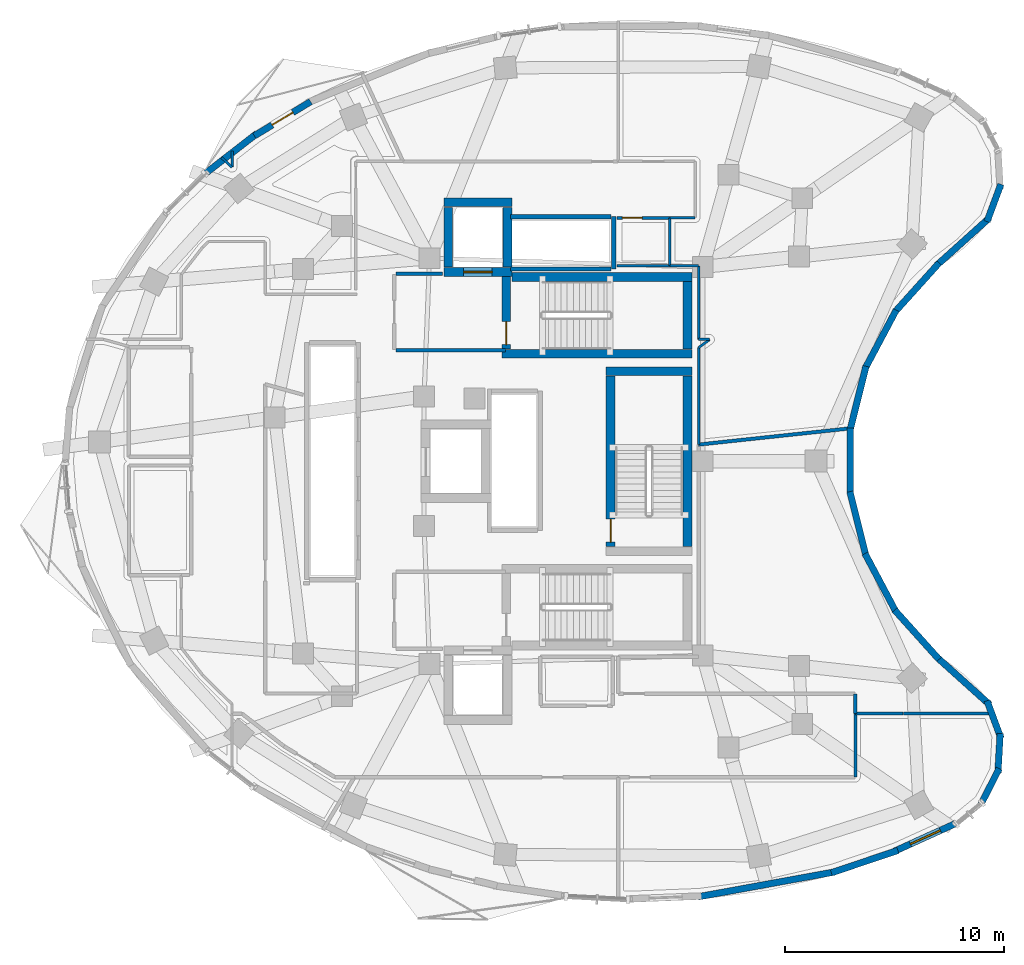
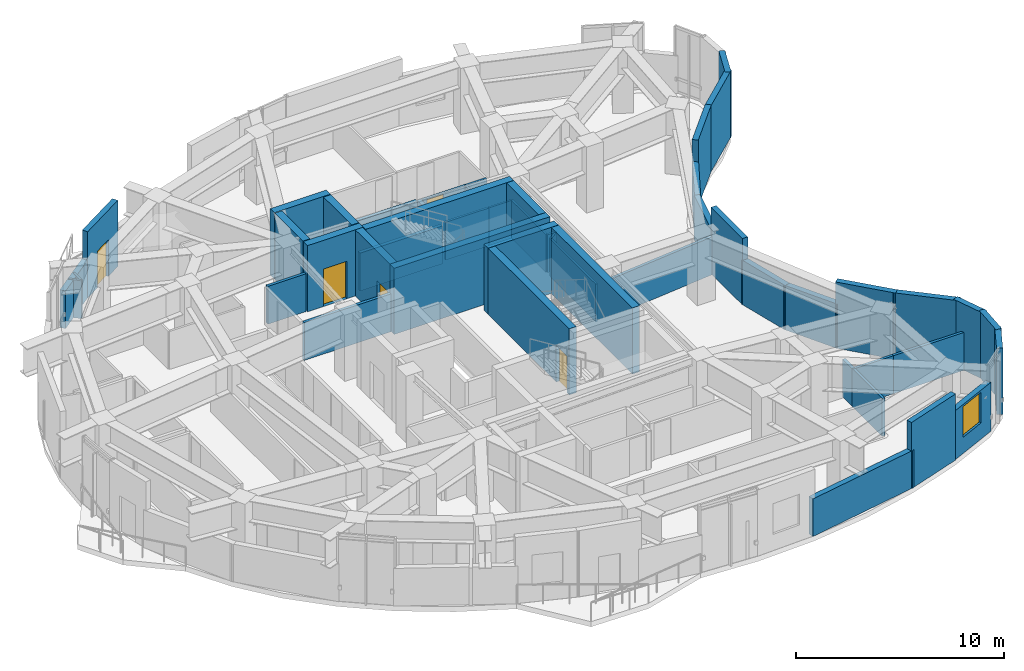
# One storey, part 9 of 13: 50 walls, 5 doors, 1 window, 6 openings.
"""IFC4 building model written with IfcOpenShell, lengths in metres."""

from ifc_helpers import new_model, si_unit, direction, frame, frame_2d, origin, place, context, subcontext, project, spatial, rectangle, extrude, material, layer, layer_set, type_object, element, fill, save


model = new_model("IFC4")

# Units and contexts
model_context = context("Model", 3, precision=1e-05, world=origin(), true_north=direction((0.0, 1.0)))
body_context = subcontext(model_context, "Body", "Model", "MODEL_VIEW")
ifc_project = project(units=[si_unit("LENGTHUNIT", "METRE"), si_unit("AREAUNIT", "SQUARE_METRE"), si_unit("VOLUMEUNIT", "CUBIC_METRE"), si_unit("PLANEANGLEUNIT", "RADIAN"), si_unit("MASSUNIT", "GRAM", prefix="KILO")], contexts=[model_context])

# Site, building, storey
site_placement = place(None, origin())
site = spatial("IfcSite", under=ifc_project, at=site_placement, CompositionType="ELEMENT")
building_placement = place(site_placement, origin())
building = spatial("IfcBuilding", under=site, at=building_placement, Name="Korentha Bioscience Tower", CompositionType="ELEMENT")
storey_placement = place(building_placement, frame((0.0, 0.0, 208.800048828125)))
storey = spatial("IfcBuildingStorey", under=building, at=storey_placement, Name="L48", CompositionType="ELEMENT", Elevation=208.800048828125)

# Walls
ifc_material_1 = material(Name="Double-Stud Acoustic Gypsum", Category="gypsum")
ifc_layer_1 = layer(ifc_material_1, 0.14990234375, Name="Double-Stud Acoustic Gypsum")
ifc_layer_set_1 = layer_set([ifc_layer_1], Name="Double-Stud Acoustic Gypsum (IW-L150)")
wall_type_1 = type_object("IfcWallType", Name="Acoustic Laboratory Partition Wall 150", PredefinedType="PARTITIONING", material=ifc_layer_set_1)
wall_1_placement = place(storey_placement, frame((46.69140625, 15.498046875, 0.0), z_axis=(0.0, 0.0, 1.0), x_axis=(1.0, 0.0, 0.0)))
element("IfcWall", 1, at=wall_1_placement, inside=storey, type_object=wall_type_1, Name="L48 Interior Partition 045", PredefinedType="PARTITIONING", context=body_context, shape_type="SweptSolid", body=[
    extrude(rectangle(XDim=4.142822265625, YDim=0.14990234375, at=frame_2d((2.0712890625, 0.0))), origin(), (0.0, 0.0, 1.0), 2.219970703125),
])
wall_2_placement = place(storey_placement, frame((44.510009765625, 12.60009765625, 0.0), z_axis=(0.0, 0.0, 1.0), x_axis=(0.0, 1.0, 0.0)))
element("IfcWall", 2, at=wall_2_placement, inside=storey, type_object=wall_type_1, Name="L48 Interior Partition 046", PredefinedType="PARTITIONING", context=body_context, shape_type="SweptSolid", body=[
    extrude(rectangle(XDim=2.89794921875, YDim=0.14990234375, at=frame_2d((1.448974609375, 0.0))), origin(), (0.0, 0.0, 1.0), 2.219970703125),
])
wall_3_placement = place(storey_placement, frame((44.510009765625, 15.498046875, 0.0), z_axis=(0.0, 0.0, 1.0), x_axis=(1.0, 0.0, 0.0)))
element("IfcWall", 3, at=wall_3_placement, inside=storey, type_object=wall_type_1, Name="L48 Interior Partition 047", PredefinedType="PARTITIONING", context=body_context, shape_type="SweptSolid", body=[
    extrude(rectangle(XDim=2.174072265625, YDim=0.14990234375, at=frame_2d((1.0869140625, 0.0))), origin(), (0.0, 0.0, 1.0), 2.219970703125),
])
ifc_material_2 = material(Name="Fire-Rated Framed Glass", Category="glass")
ifc_layer_2 = layer(ifc_material_2, 0.110107421875, Name="Fire-Rated Framed Glass")
ifc_layer_set_2 = layer_set([ifc_layer_2], Name="Fire-Rated Framed Glass (IW-G110)")
wall_type_2 = type_object("IfcWallType", Name="Demountable Glazed Office Partition 110", PredefinedType="MOVABLE", material=ifc_layer_set_2)
wall_4_placement = place(storey_placement, frame((37.360107421875, 27.7666015625, 0.0), z_axis=(0.0, 0.0, 1.0), x_axis=(0.0, 1.0, 0.0)))
element("IfcWall", 4, at=wall_4_placement, inside=storey, type_object=wall_type_2, Name="L48 Interior Partition 053", PredefinedType="MOVABLE", context=body_context, shape_type="SweptSolid", body=[
    extrude(rectangle(XDim=4.407470703125, YDim=0.110107421875, at=frame_2d((2.20361328125, 0.0))), origin(), (0.0, 0.0, 1.0), 2.219970703125),
])
wall_5_placement = place(storey_placement, frame((37.360107421875, 32.174072265625, 0.0), z_axis=(0.0, 0.0, 1.0), x_axis=(0.80784587298, 0.589393794936, 0.0)))
element("IfcWall", 5, at=wall_5_placement, inside=storey, type_object=wall_type_2, Name="L48 Interior Partition 054", PredefinedType="MOVABLE", context=body_context, shape_type="SweptSolid", body=[
    extrude(rectangle(XDim=0.629150390625, YDim=0.110107421875, at=frame_2d((0.314453125, 0.0))), origin(), (0.0, 0.0, 1.0), 2.219970703125),
])
wall_6_placement = place(storey_placement, frame((37.8662109375, 32.552001953125, 0.0), z_axis=(0.0, 0.0, 1.0), x_axis=(-1.0, 0.0, 0.0)))
element("IfcWall", 6, at=wall_6_placement, inside=storey, type_object=wall_type_2, Name="L48 Interior Partition 055", PredefinedType="MOVABLE", context=body_context, shape_type="SweptSolid", body=[
    extrude(rectangle(XDim=0.506103515625, YDim=0.110107421875, at=frame_2d((0.2529296875, 0.0))), origin(), (0.0, 0.0, 1.0), 2.219970703125),
])
wall_7_placement = place(storey_placement, frame((37.360107421875, 32.552001953125, 0.0), z_axis=(0.0, 0.0, 1.0), x_axis=(0.0, 1.0, 0.0)))
element("IfcWall", 7, at=wall_7_placement, inside=storey, type_object=wall_type_2, Name="L48 Interior Partition 056", PredefinedType="MOVABLE", context=body_context, shape_type="SweptSolid", body=[
    extrude(rectangle(XDim=3.347900390625, YDim=0.110107421875, at=frame_2d((1.673828125, 0.0))), origin(), (0.0, 0.0, 1.0), 2.219970703125),
])
wall_8_placement = place(storey_placement, frame((37.35009765625, 35.909912109375, 0.0), z_axis=(0.0, 0.0, 1.0), x_axis=(-1.0, 0.0, 0.0)))
element("IfcWall", 8, at=wall_8_placement, inside=storey, type_object=wall_type_2, Name="L48 Interior Partition 057", PredefinedType="MOVABLE", context=body_context, shape_type="SweptSolid", body=[
    extrude(rectangle(XDim=1.2900390625, YDim=0.110107421875, at=frame_2d((0.64501953125, 0.0))), origin(), (0.0, 0.0, 1.0), 2.219970703125),
])
wall_9_placement = place(storey_placement, frame((36.06005859375, 38.090087890625, 0.0), z_axis=(0.0, 0.0, 1.0), x_axis=(1.0, 0.0, 0.0)))
element("IfcWall", 9, at=wall_9_placement, inside=storey, type_object=wall_type_2, Name="L48 Interior Partition 058", PredefinedType="MOVABLE", context=body_context, shape_type="SweptSolid", body=[
    extrude(rectangle(XDim=1.139892578125, YDim=0.110107421875, at=frame_2d((0.56982421875, 0.0))), origin(), (0.0, 0.0, 1.0), 2.219970703125),
])
wall_10_placement = place(storey_placement, frame((15.626708984375, 40.83642578125, 0.0), z_axis=(0.0, 0.0, 1.0), x_axis=(0.726519497239, -0.687145850698, 0.0)))
element("IfcWall", 10, at=wall_10_placement, inside=storey, type_object=wall_type_2, Name="L48 Interior Partition 062", PredefinedType="MOVABLE", context=body_context, shape_type="SweptSolid", body=[
    extrude(rectangle(XDim=0.644775390625, YDim=0.110107421875, at=frame_2d((0.322265625, 0.0))), origin(), (0.0, 0.0, 1.0), 2.219970703125),
])
wall_11_placement = place(storey_placement, frame((16.10205078125, 40.396240234375, 0.0), z_axis=(0.0, 0.0, 1.0), x_axis=(0.0, 1.0, 0.0)))
element("IfcWall", 11, at=wall_11_placement, inside=storey, type_object=wall_type_2, Name="L48 Interior Partition 063", PredefinedType="MOVABLE", context=body_context, shape_type="SweptSolid", body=[
    extrude(rectangle(XDim=0.740966796875, YDim=0.110107421875, at=frame_2d((0.37060546875, 0.0))), origin(), (0.0, 0.0, 1.0), 2.219970703125),
])
ifc_material_3 = material(Name="Gypsum-Clad Steel Stud", Category="steel")
ifc_layer_3 = layer(ifc_material_3, 0.159912109375, Name="Gypsum-Clad Steel Stud")
ifc_layer_set_3 = layer_set([ifc_layer_3], Name="Gypsum-Clad Steel Stud (IW-C160)")
wall_type_3 = type_object("IfcWallType", Name="Fire-Rated Corridor Partition Wall 160", PredefinedType="PARTITIONING", material=ifc_layer_set_3)
wall_12_placement = place(storey_placement, frame((23.580078125, 32.050048828125, 0.0), z_axis=(0.0, 0.0, 1.0), x_axis=(1.0, 0.0, 0.0)))
element("IfcWall", 12, at=wall_12_placement, inside=storey, type_object=wall_type_3, Name="L48 Firefighting Lobby Return Wall FFLN-S", PredefinedType="PARTITIONING", context=body_context, shape_type="SweptSolid", body=[
    extrude(rectangle(XDim=4.969970703125, YDim=0.159912109375, at=frame_2d((2.48486328125, 0.0))), origin(), (0.0, 0.0, 1.0), 2.219970703125),
])
wall_13_placement = place(storey_placement, frame((23.580078125, 35.550048828125, 0.0), z_axis=(0.0, 0.0, 1.0), x_axis=(1.0, 0.0, 0.0)))
element("IfcWall", 13, at=wall_13_placement, inside=storey, type_object=wall_type_3, Name="L48 Firefighting Lobby Return Wall FFLN-N", PredefinedType="PARTITIONING", context=body_context, shape_type="SweptSolid", body=[
    extrude(rectangle(XDim=2.119873046875, YDim=0.159912109375, at=frame_2d((1.06005859375, 0.0))), origin(), (0.0, 0.0, 1.0), 2.219970703125),
])
wall_14_placement = place(storey_placement, frame((37.360107421875, 27.756591796875, 0.0), z_axis=(0.0, 0.0, 1.0), x_axis=(0.994337053642, 0.10627240354, 0.0)))
element("IfcWall", 14, at=wall_14_placement, inside=storey, type_object=wall_type_3, Name="L48 Interior Partition 050", PredefinedType="PARTITIONING", context=body_context, shape_type="SweptSolid", body=[
    extrude(rectangle(XDim=7.07568359375, YDim=0.159912109375, at=frame_2d((3.537841796875, 0.0))), origin(), (0.0, 0.0, 1.0), 2.219970703125),
])
wall_15_placement = place(storey_placement, frame((44.510009765625, 15.508056640625, 0.0), z_axis=(0.0, 0.0, 1.0), x_axis=(0.0, 1.0, 0.0)))
element("IfcWall", 15, at=wall_15_placement, inside=storey, type_object=wall_type_3, Name="L48 Interior Partition 051", PredefinedType="PARTITIONING", context=body_context, shape_type="SweptSolid", body=[
    extrude(rectangle(XDim=0.891845703125, YDim=0.159912109375, at=frame_2d((0.44580078125, 0.0))), origin(), (0.0, 0.0, 1.0), 2.219970703125),
])

# Wall, opening, door
ifc_material_4 = material(Name="Honed Limestone Precast Concrete C40", Category="masonry")
ifc_layer_4 = layer(ifc_material_4, 0.300048828125, Name="Honed Limestone Precast Concrete C40")
ifc_layer_set_4 = layer_set([ifc_layer_4], Name="Honed Limestone Precast Concrete C40 (EW-ST300)")
wall_type_4 = type_object("IfcWallType", Name="Honed Limestone Cavity Spandrel Wall 300", PredefinedType="STANDARD", material=ifc_layer_set_4)
wall_16_placement = place(storey_placement, frame((19.681396484375, 43.3876953125, 0.0), z_axis=(0.0, 0.0, 1.0), x_axis=(-0.854364873812, -0.519673611411, 0.0)))
wall_16 = element("IfcWall", 16, at=wall_16_placement, inside=storey, type_object=wall_type_4, Name="L48 Balcony Threshold Wall 01", PredefinedType="STANDARD", context=body_context, shape_type="SweptSolid", body=[
    extrude(rectangle(XDim=3.00390625, YDim=0.300048828125, at=frame_2d((1.501953125, 0.0))), origin(), (0.0, 0.0, 1.0), 3.8798828125),
])
opening_1_placement = place(wall_16_placement, frame((0.951904296875, 0.0, 0.0)))
opening_1 = element("IfcOpeningElement", 17, at=opening_1_placement, cuts=wall_16, Name="Opening BD-11L", PredefinedType="OPENING", context=body_context, shape_type="SweptSolid", body=[
    extrude(rectangle(XDim=1.10009765625, YDim=2.14990234375, at=frame_2d((0.550048828125, 1.074951171875))), frame((0.0, 0.1650390625, 0.0), z_axis=(0.0, -1.0, 0.0), x_axis=(1.0, 0.0, 0.0)), (0.0, 0.0, 1.0), 0.329833984375),
])
ifc_material_5 = material(Name="Thermally Broken Glazed Aluminium", Category="aluminium")
door_type_1 = type_object("IfcDoorType", Name="Balcony Terrace Glazed Door 1100x2150 Left", OperationType="SINGLE_SWING_LEFT", PredefinedType="DOOR", material=ifc_material_5)
door_1_placement = place(opening_1_placement, origin())
door_1 = element("IfcDoor", 18, at=door_1_placement, inside=storey, type_object=door_type_1, Name="L48 Balcony Access Door 01", OperationType="SINGLE_SWING_LEFT", OverallHeight=2.14990234375, OverallWidth=1.10009765625, PredefinedType="DOOR", context=body_context, shape_type="SweptSolid", body=[
    extrude(rectangle(XDim=1.10009765625, YDim=2.14990234375, at=frame_2d((0.550048828125, 1.074951171875))), frame((0.0, 0.02490234375, 0.0), z_axis=(0.0, -1.0, 0.0), x_axis=(1.0, 0.0, 0.0)), (0.0, 0.0, 1.0), 0.050048828125),
])
fill(opening_1, door_1)

# Wall, opening, window
wall_17_placement = place(storey_placement, frame((46.289794921875, 9.222900390625, 0.0), z_axis=(0.0, 0.0, 1.0), x_axis=(0.910501683298, 0.413505362372, 0.0)))
wall_17 = element("IfcWall", 19, at=wall_17_placement, inside=storey, type_object=wall_type_4, Name="L48 Honed Limestone Spandrel Wall 36", PredefinedType="STANDARD", context=body_context, shape_type="SweptSolid", body=[
    extrude(rectangle(XDim=3.0908203125, YDim=0.300048828125, at=frame_2d((1.54541015625, 0.0))), origin(), (0.0, 0.0, 1.0), 2.869873046875),
])
opening_2_placement = place(wall_17_placement, frame((0.79541015625, 0.0, 0.949951171875)))
opening_2 = element("IfcOpeningElement", 20, at=opening_2_placement, cuts=wall_17, Name="Opening WN-02", PredefinedType="OPENING", context=body_context, shape_type="SweptSolid", body=[
    extrude(rectangle(XDim=1.5, YDim=1.800048828125, at=frame_2d((0.75, 0.89990234375))), frame((0.0, 0.1650390625, 0.0), z_axis=(0.0, -1.0, 0.0), x_axis=(1.0, 0.0, 0.0)), (0.0, 0.0, 1.0), 0.329833984375),
])
ifc_material_6 = material(Name="Thermally Broken Aluminium Triple Glazing", Category="aluminium")
window_type = type_object("IfcWindowType", Name="Acoustic Operable Office Window 1500x1800", PartitioningType="DOUBLE_PANEL_VERTICAL", PredefinedType="WINDOW", material=ifc_material_6)
window_placement = place(opening_2_placement, origin())
window = element("IfcWindow", 21, at=window_placement, inside=storey, type_object=window_type, Name="L48 Facade Window 36", OverallHeight=1.800048828125, OverallWidth=1.5, PartitioningType="DOUBLE_PANEL_VERTICAL", PredefinedType="WINDOW", context=body_context, shape_type="SweptSolid", body=[
    extrude(rectangle(XDim=1.5, YDim=1.800048828125, at=frame_2d((0.75, 0.89990234375))), frame((0.0, 0.030029296875, 0.0), z_axis=(0.0, -1.0, 0.0), x_axis=(1.0, 0.0, 0.0)), (0.0, 0.0, 1.0), 0.06005859375),
])
fill(opening_2, window)

# Walls
wall_18_placement = place(storey_placement, frame((17.232177734375, 41.93310546875, 0.0), z_axis=(0.0, 0.0, 1.0), x_axis=(-0.790315182738, -0.612700507536, 0.0)))
element("IfcWall", 22, at=wall_18_placement, inside=storey, type_object=wall_type_4, Name="L48 Limestone Perimeter Closure Wall 12", PredefinedType="STANDARD", context=body_context, shape_type="SweptSolid", body=[
    extrude(rectangle(XDim=2.95947265625, YDim=0.300048828125, at=frame_2d((1.479736328125, 0.0))), origin(), (0.0, 0.0, 1.0), 2.204833984375),
])
wall_19_placement = place(storey_placement, frame((37.32861328125, 7.143310546875, 0.0), z_axis=(0.0, 0.0, 1.0), x_axis=(0.983789375997, 0.179327810658, 0.0)))
element("IfcWall", 23, at=wall_19_placement, inside=storey, type_object=wall_type_4, Name="L48 Limestone Perimeter Closure Wall 33", PredefinedType="STANDARD", context=body_context, shape_type="SweptSolid", body=[
    extrude(rectangle(XDim=6.36181640625, YDim=0.300048828125, at=frame_2d((3.180908203125, 0.0))), origin(), (0.0, 0.0, 1.0), 2.204833984375),
])
wall_20_placement = place(storey_placement, frame((43.413330078125, 8.2392578125, 0.0), z_axis=(0.0, 0.0, 1.0), x_axis=(0.947600715786, 0.319457169965, 0.0)))
element("IfcWall", 24, at=wall_20_placement, inside=storey, type_object=wall_type_4, Name="L48 Limestone Perimeter Closure Wall 35", PredefinedType="STANDARD", context=body_context, shape_type="SweptSolid", body=[
    extrude(rectangle(XDim=3.196044921875, YDim=0.300048828125, at=frame_2d((1.59814453125, 0.0))), origin(), (0.0, 0.0, 1.0), 3.8798828125),
])
wall_21_placement = place(storey_placement, frame((50.235595703125, 11.37060546875, 0.0), z_axis=(0.0, 0.0, 1.0), x_axis=(0.454139309712, 0.890930686066, 0.0)))
element("IfcWall", 25, at=wall_21_placement, inside=storey, type_object=wall_type_4, Name="L48 Limestone Perimeter Closure Wall 38", PredefinedType="STANDARD", context=body_context, shape_type="SweptSolid", body=[
    extrude(rectangle(XDim=1.8154296875, YDim=0.300048828125, at=frame_2d((0.90771484375, 0.0))), origin(), (0.0, 0.0, 1.0), 3.8798828125),
])
wall_22_placement = place(storey_placement, frame((51.00390625, 12.781494140625, 0.0), z_axis=(0.0, 0.0, 1.0), x_axis=(0.057436686529, 0.998349150869, 0.0)))
element("IfcWall", 26, at=wall_22_placement, inside=storey, type_object=wall_type_4, Name="L48 Limestone Perimeter Closure Wall 39", PredefinedType="STANDARD", context=body_context, shape_type="SweptSolid", body=[
    extrude(rectangle(XDim=1.81494140625, YDim=0.300048828125, at=frame_2d((0.907470703125, 0.0))), origin(), (0.0, 0.0, 1.0), 3.8798828125),
])
wall_23_placement = place(storey_placement, frame((51.139892578125, 14.3818359375, 0.0), z_axis=(0.0, 0.0, 1.0), x_axis=(-0.348882068324, 0.937166635344, 0.0)))
element("IfcWall", 27, at=wall_23_placement, inside=storey, type_object=wall_type_4, Name="L48 Limestone Perimeter Closure Wall 40", PredefinedType="STANDARD", context=body_context, shape_type="SweptSolid", body=[
    extrude(rectangle(XDim=1.815185546875, YDim=0.300048828125, at=frame_2d((0.90771484375, 0.0))), origin(), (0.0, 0.0, 1.0), 3.8798828125),
])
wall_24_placement = place(storey_placement, frame((50.63134765625, 15.8994140625, 0.0), z_axis=(0.0, 0.0, 1.0), x_axis=(-0.743417638904, 0.668827492083, 0.0)))
element("IfcWall", 28, at=wall_24_placement, inside=storey, type_object=wall_type_4, Name="L48 Limestone Perimeter Closure Wall 41", PredefinedType="STANDARD", context=body_context, shape_type="SweptSolid", body=[
    extrude(rectangle(XDim=3.24365234375, YDim=0.300048828125, at=frame_2d((1.621826171875, 0.0))), origin(), (0.0, 0.0, 1.0), 3.8798828125),
])
wall_25_placement = place(storey_placement, frame((48.322509765625, 17.96630859375, 0.0), z_axis=(0.0, 0.0, 1.0), x_axis=(-0.669129534294, 0.743145790768, 0.0)))
element("IfcWall", 29, at=wall_25_placement, inside=storey, type_object=wall_type_4, Name="L48 Limestone Perimeter Closure Wall 43", PredefinedType="STANDARD", context=body_context, shape_type="SweptSolid", body=[
    extrude(rectangle(XDim=3.028076171875, YDim=0.300048828125, at=frame_2d((1.51416015625, 0.0))), origin(), (0.0, 0.0, 1.0), 3.8798828125),
])
wall_26_placement = place(storey_placement, frame((46.367919921875, 20.114501953125, 0.0), z_axis=(0.0, 0.0, 1.0), x_axis=(-0.469487277589, 0.88293923697, 0.0)))
element("IfcWall", 30, at=wall_26_placement, inside=storey, type_object=wall_type_4, Name="L48 Limestone Perimeter Closure Wall 45", PredefinedType="STANDARD", context=body_context, shape_type="SweptSolid", body=[
    extrude(rectangle(XDim=3.028076171875, YDim=0.300048828125, at=frame_2d((1.51416015625, 0.0))), origin(), (0.0, 0.0, 1.0), 2.60498046875),
])
wall_27_placement = place(storey_placement, frame((44.990966796875, 22.671630859375, 0.0), z_axis=(0.0, 0.0, 1.0), x_axis=(-0.241947511962, 0.97028933904, 0.0)))
element("IfcWall", 31, at=wall_27_placement, inside=storey, type_object=wall_type_4, Name="L48 Limestone Perimeter Closure Wall 47", PredefinedType="STANDARD", context=body_context, shape_type="SweptSolid", body=[
    extrude(rectangle(XDim=3.0283203125, YDim=0.300048828125, at=frame_2d((1.51416015625, 0.0))), origin(), (0.0, 0.0, 1.0), 2.60498046875),
])
wall_28_placement = place(storey_placement, frame((44.273681640625, 25.486083984375, 0.0), z_axis=(0.0, 0.0, 1.0), x_axis=(0.0, 1.0, 0.0)))
element("IfcWall", 32, at=wall_28_placement, inside=storey, type_object=wall_type_4, Name="L48 Limestone Perimeter Closure Wall 49", PredefinedType="STANDARD", context=body_context, shape_type="SweptSolid", body=[
    extrude(rectangle(XDim=3.02783203125, YDim=0.300048828125, at=frame_2d((1.513916015625, 0.0))), origin(), (0.0, 0.0, 1.0), 3.8798828125),
])
wall_29_placement = place(storey_placement, frame((44.25830078125, 28.39013671875, 0.0), z_axis=(0.0, 0.0, 1.0), x_axis=(0.241947511962, 0.97028933904, 0.0)))
element("IfcWall", 33, at=wall_29_placement, inside=storey, type_object=wall_type_4, Name="L48 Limestone Perimeter Closure Wall 51", PredefinedType="STANDARD", context=body_context, shape_type="SweptSolid", body=[
    extrude(rectangle(XDim=3.0283203125, YDim=0.300048828125, at=frame_2d((1.51416015625, 0.0))), origin(), (0.0, 0.0, 1.0), 2.60498046875),
])
wall_30_placement = place(storey_placement, frame((44.9462890625, 31.2119140625, 0.0), z_axis=(0.0, 0.0, 1.0), x_axis=(0.469487277589, 0.88293923697, 0.0)))
element("IfcWall", 34, at=wall_30_placement, inside=storey, type_object=wall_type_4, Name="L48 Limestone Perimeter Closure Wall 53", PredefinedType="STANDARD", context=body_context, shape_type="SweptSolid", body=[
    extrude(rectangle(XDim=3.028076171875, YDim=0.300048828125, at=frame_2d((1.51416015625, 0.0))), origin(), (0.0, 0.0, 1.0), 2.60498046875),
])
wall_31_placement = place(storey_placement, frame((46.29638671875, 33.783447265625, 0.0), z_axis=(0.0, 0.0, 1.0), x_axis=(0.669129534294, 0.743145790768, 0.0)))
element("IfcWall", 35, at=wall_31_placement, inside=storey, type_object=wall_type_4, Name="L48 Limestone Perimeter Closure Wall 55", PredefinedType="STANDARD", context=body_context, shape_type="SweptSolid", body=[
    extrude(rectangle(XDim=3.028076171875, YDim=0.300048828125, at=frame_2d((1.51416015625, 0.0))), origin(), (0.0, 0.0, 1.0), 3.8798828125),
])
wall_32_placement = place(storey_placement, frame((48.219970703125, 35.93115234375, 0.0), z_axis=(0.0, 0.0, 1.0), x_axis=(0.743417638904, 0.668827492083, 0.0)))
element("IfcWall", 36, at=wall_32_placement, inside=storey, type_object=wall_type_4, Name="L48 Limestone Perimeter Closure Wall 57", PredefinedType="STANDARD", context=body_context, shape_type="SweptSolid", body=[
    extrude(rectangle(XDim=3.24365234375, YDim=0.300048828125, at=frame_2d((1.621826171875, 0.0))), origin(), (0.0, 0.0, 1.0), 3.8798828125),
])
wall_33_placement = place(storey_placement, frame((50.506591796875, 37.9169921875, 0.0), z_axis=(0.0, 0.0, 1.0), x_axis=(0.348882068324, 0.937166635344, 0.0)))
element("IfcWall", 37, at=wall_33_placement, inside=storey, type_object=wall_type_4, Name="L48 Limestone Perimeter Closure Wall 59", PredefinedType="STANDARD", context=body_context, shape_type="SweptSolid", body=[
    extrude(rectangle(XDim=1.815185546875, YDim=0.300048828125, at=frame_2d((0.90771484375, 0.0))), origin(), (0.0, 0.0, 1.0), 3.8798828125),
])
ifc_material_7 = material(Name="Autoclaved Aerated Concrete Block C25", Category="concrete")
ifc_layer_5 = layer(ifc_material_7, 0.199951171875, Name="Autoclaved Aerated Concrete Block C25")
ifc_layer_set_5 = layer_set([ifc_layer_5], Name="Autoclaved Aerated Concrete Block C25 (IW-S200)")
wall_type_5 = type_object("IfcWallType", Name="Lift and Riser Shaft Enclosure Wall 200", PredefinedType="PARTITIONING", material=ifc_layer_set_5)
wall_34_placement = place(storey_placement, frame((33.489990234375, 35.760009765625, 0.0), z_axis=(0.0, 0.0, 1.0), x_axis=(0.0, 1.0, 0.0)))
element("IfcWall", 38, at=wall_34_placement, inside=storey, type_object=wall_type_5, Name="L48 Lift Bank OBS Shaft Wall +X", PredefinedType="PARTITIONING", context=body_context, shape_type="SweptSolid", body=[
    extrude(rectangle(XDim=2.3798828125, YDim=0.199951171875, at=frame_2d((1.18994140625, 0.0))), origin(), (0.0, 0.0, 1.0), 2.219970703125),
])
for number, where, z_axis, x_axis, name in (
    (39, (28.800048828125, 35.760009765625, 0.0), (0.0, 0.0, 1.0), (1.0, 0.0, 0.0), "L48 Lift Bank OBS Shaft Wall -Y"),
    (40, (28.800048828125, 38.139892578125, 0.0), (0.0, 0.0, 1.0), (1.0, 0.0, 0.0), "L48 Lift Bank OBS Shaft Wall +Y"),
):
    element("IfcWall", number, at=place(storey_placement, frame(where, z_axis=z_axis, x_axis=x_axis)), inside=storey, type_object=wall_type_5, Name=name, PredefinedType="PARTITIONING", context=body_context, shape_type="SweptSolid", body=[
        extrude(rectangle(XDim=4.570068359375, YDim=0.199951171875, at=frame_2d((2.28515625, 0.0))), origin(), (0.0, 0.0, 1.0), 2.219970703125),
    ])
ifc_material_8 = material(Name="Concrete C65", Category="concrete")
ifc_layer_6 = layer(ifc_material_8, 0.39990234375, Name="Concrete C65")
ifc_layer_set_6 = layer_set([ifc_layer_6], Name="Concrete C65 (CW-C65)")
wall_type_6 = type_object("IfcWallType", Name="Mid-Rise Core Shear Wall 400", PredefinedType="SHEAR", material=ifc_layer_set_6)
wall_35_placement = place(storey_placement, frame((28.85205078125, 35.39990234375, 0.0), z_axis=(0.0, 0.0, 1.0), x_axis=(1.0, 0.0, 0.0)))
element("IfcWall", 41, at=wall_35_placement, inside=storey, type_object=wall_type_6, Name="L48 Core Shear Wall ST1-N", PredefinedType="SHEAR", context=body_context, shape_type="SweptSolid", body=[
    extrude(rectangle(XDim=8.197998046875, YDim=0.39990234375, at=frame_2d((4.09912109375, 0.0))), origin(), (0.0, 0.0, 1.0), 3.8798828125),
])
wall_36_placement = place(storey_placement, frame((28.39990234375, 31.89990234375, 0.0), z_axis=(0.0, 0.0, 1.0), x_axis=(1.0, 0.0, 0.0)))
element("IfcWall", 42, at=wall_36_placement, inside=storey, type_object=wall_type_6, Name="L48 Core Shear Wall ST1-S", PredefinedType="SHEAR", context=body_context, shape_type="SweptSolid", body=[
    extrude(rectangle(XDim=8.650146484375, YDim=0.39990234375, at=frame_2d((4.3251953125, 0.0))), origin(), (0.0, 0.0, 1.0), 3.8798828125),
])
wall_37_placement = place(storey_placement, frame((36.85009765625, 32.110107421875, 0.0), z_axis=(0.0, 0.0, 1.0), x_axis=(0.0, 1.0, 0.0)))
element("IfcWall", 43, at=wall_37_placement, inside=storey, type_object=wall_type_6, Name="L48 Core Shear Wall ST1-E", PredefinedType="SHEAR", context=body_context, shape_type="SweptSolid", body=[
    extrude(rectangle(XDim=3.079833984375, YDim=0.39990234375, at=frame_2d((1.5400390625, 0.0))), origin(), (0.0, 0.0, 1.0), 3.8798828125),
])

# Wall, opening, door
wall_38_placement = place(storey_placement, frame((28.60009765625, 32.110107421875, 0.0), z_axis=(0.0, 0.0, 1.0), x_axis=(0.0, 1.0, 0.0)))
wall_38 = element("IfcWall", 44, at=wall_38_placement, inside=storey, type_object=wall_type_6, Name="L48 Core Shear Wall ST1-W", PredefinedType="SHEAR", context=body_context, shape_type="SweptSolid", body=[
    extrude(rectangle(XDim=3.307861328125, YDim=0.39990234375, at=frame_2d((1.65380859375, 0.0))), origin(), (0.0, 0.0, 1.0), 3.8798828125),
])
opening_3_placement = place(wall_38_placement, frame((0.199951171875, 0.0, 0.0)))
opening_3 = element("IfcOpeningElement", 45, at=opening_3_placement, cuts=wall_38, Name="Opening FD-90L", PredefinedType="OPENING", context=body_context, shape_type="SweptSolid", body=[
    extrude(rectangle(XDim=1.050048828125, YDim=2.14990234375, at=frame_2d((0.52490234375, 1.074951171875))), frame((0.0, 0.21484375, 0.0), z_axis=(0.0, -1.0, 0.0), x_axis=(1.0, 0.0, 0.0)), (0.0, 0.0, 1.0), 0.4296875),
])
ifc_material_9 = material(Name="Powder-Coated Fire-Rated Steel", Category="steel")
door_type_2 = type_object("IfcDoorType", Name="Stairwell Fire Exit Door 1050x2150 Left", OperationType="SINGLE_SWING_LEFT", PredefinedType="DOOR", material=ifc_material_9)
door_2_placement = place(opening_3_placement, origin())
door_2 = element("IfcDoor", 46, at=door_2_placement, inside=storey, type_object=door_type_2, Name="L48 ST-1 Fire Exit Stair Door", OperationType="SINGLE_SWING_LEFT", OverallHeight=2.14990234375, OverallWidth=1.050048828125, PredefinedType="DOOR", context=body_context, shape_type="SweptSolid", body=[
    extrude(rectangle(XDim=1.050048828125, YDim=2.14990234375, at=frame_2d((0.52490234375, 1.074951171875))), frame((0.0, 0.02490234375, 0.0), z_axis=(0.0, -1.0, 0.0), x_axis=(1.0, 0.0, 0.0)), (0.0, 0.0, 1.0), 0.050048828125),
])
fill(opening_3, door_2)

# Walls
wall_39_placement = place(storey_placement, frame((33.14990234375, 31.10009765625, 0.0), z_axis=(0.0, 0.0, 1.0), x_axis=(1.0, 0.0, 0.0)))
element("IfcWall", 47, at=wall_39_placement, inside=storey, type_object=wall_type_6, Name="L48 Core Shear Wall ST3-N", PredefinedType="SHEAR", context=body_context, shape_type="SweptSolid", body=[
    extrude(rectangle(XDim=3.900146484375, YDim=0.39990234375, at=frame_2d((1.9501953125, 0.0))), origin(), (0.0, 0.0, 1.0), 3.8798828125),
])
wall_40_placement = place(storey_placement, frame((36.85009765625, 23.110107421875, 0.0), z_axis=(0.0, 0.0, 1.0), x_axis=(0.0, 1.0, 0.0)))
element("IfcWall", 48, at=wall_40_placement, inside=storey, type_object=wall_type_6, Name="L48 Core Shear Wall ST3-E", PredefinedType="SHEAR", context=body_context, shape_type="SweptSolid", body=[
    extrude(rectangle(XDim=7.77978515625, YDim=0.39990234375, at=frame_2d((3.889892578125, 0.0))), origin(), (0.0, 0.0, 1.0), 3.8798828125),
])

# Wall, opening, door
wall_41_placement = place(storey_placement, frame((33.35009765625, 23.110107421875, 0.0), z_axis=(0.0, 0.0, 1.0), x_axis=(0.0, 1.0, 0.0)))
wall_41 = element("IfcWall", 49, at=wall_41_placement, inside=storey, type_object=wall_type_6, Name="L48 Core Shear Wall ST3-W", PredefinedType="SHEAR", context=body_context, shape_type="SweptSolid", body=[
    extrude(rectangle(XDim=7.77978515625, YDim=0.39990234375, at=frame_2d((3.889892578125, 0.0))), origin(), (0.0, 0.0, 1.0), 3.8798828125),
])
opening_4_placement = place(wall_41_placement, frame((0.199951171875, 0.0, 0.0)))
opening_4 = element("IfcOpeningElement", 50, at=opening_4_placement, cuts=wall_41, Name="Opening FD-90L", PredefinedType="OPENING", context=body_context, shape_type="SweptSolid", body=[
    extrude(rectangle(XDim=1.050048828125, YDim=2.14990234375, at=frame_2d((0.52490234375, 1.074951171875))), frame((0.0, 0.21484375, 0.0), z_axis=(0.0, -1.0, 0.0), x_axis=(1.0, 0.0, 0.0)), (0.0, 0.0, 1.0), 0.4296875),
])
door_3_placement = place(opening_4_placement, origin())
door_3 = element("IfcDoor", 51, at=door_3_placement, inside=storey, type_object=door_type_2, Name="L48 ST-3 Fire Exit Stair Door", OperationType="SINGLE_SWING_LEFT", OverallHeight=2.14990234375, OverallWidth=1.050048828125, PredefinedType="DOOR", context=body_context, shape_type="SweptSolid", body=[
    extrude(rectangle(XDim=1.050048828125, YDim=2.14990234375, at=frame_2d((0.52490234375, 1.074951171875))), frame((0.0, 0.02490234375, 0.0), z_axis=(0.0, -1.0, 0.0), x_axis=(1.0, 0.0, 0.0)), (0.0, 0.0, 1.0), 0.050048828125),
])
fill(opening_4, door_3)

# Wall
wall_42_placement = place(storey_placement, frame((25.75, 38.800048828125, 0.0), z_axis=(0.0, 0.0, 1.0), x_axis=(1.0, 0.0, 0.0)))
element("IfcWall", 52, at=wall_42_placement, inside=storey, type_object=wall_type_6, Name="L48 Core Shear Wall FFL2-N", PredefinedType="SHEAR", context=body_context, shape_type="SweptSolid", body=[
    extrude(rectangle(XDim=3.10009765625, YDim=0.39990234375, at=frame_2d((1.550048828125, 0.0))), origin(), (0.0, 0.0, 1.0), 3.8798828125),
])

# Wall, opening, door
wall_43_placement = place(storey_placement, frame((25.75, 35.6201171875, 0.0), z_axis=(0.0, 0.0, 1.0), x_axis=(1.0, 0.0, 0.0)))
wall_43 = element("IfcWall", 53, at=wall_43_placement, inside=storey, type_object=wall_type_6, Name="L48 Core Shear Wall FFL2-S", PredefinedType="SHEAR", context=body_context, shape_type="SweptSolid", body=[
    extrude(rectangle(XDim=3.10009765625, YDim=0.39990234375, at=frame_2d((1.550048828125, 0.0))), origin(), (0.0, 0.0, 1.0), 3.8798828125),
])
opening_5_placement = place(wall_43_placement, frame((0.89990234375, 0.0, 0.0)))
opening_5 = element("IfcOpeningElement", 54, at=opening_5_placement, cuts=wall_43, Name="Opening LD-13", PredefinedType="OPENING", context=body_context, shape_type="SweptSolid", body=[
    extrude(rectangle(XDim=1.300048828125, YDim=2.199951171875, at=frame_2d((0.64990234375, 1.10009765625))), frame((0.0, 0.21484375, 0.0), z_axis=(0.0, -1.0, 0.0), x_axis=(1.0, 0.0, 0.0)), (0.0, 0.0, 1.0), 0.4296875),
])
ifc_material_10 = material(Name="Brushed Stainless Steel 316", Category="steel")
door_type_3 = type_object("IfcDoorType", Name="Service & Firefighting Lift Landing Door 1300x2300", OperationType="DOUBLE_DOOR_SLIDING", PredefinedType="DOOR", material=ifc_material_10)
door_4_placement = place(opening_5_placement, origin())
door_4 = element("IfcDoor", 55, at=door_4_placement, inside=storey, type_object=door_type_3, Name="L48 FFL-2 Sliding Lift Landing Door", OperationType="DOUBLE_DOOR_SLIDING", OverallHeight=2.199951171875, OverallWidth=1.300048828125, PredefinedType="DOOR", context=body_context, shape_type="SweptSolid", body=[
    extrude(rectangle(XDim=1.300048828125, YDim=2.199951171875, at=frame_2d((0.64990234375, 1.10009765625))), frame((0.0, 0.02490234375, 0.0), z_axis=(0.0, -1.0, 0.0), x_axis=(1.0, 0.0, 0.0)), (0.0, 0.0, 1.0), 0.050048828125),
])
fill(opening_5, door_4)

# Walls
for number, where, z_axis, x_axis, name in (
    (56, (25.949951171875, 35.860107421875, 0.0), (0.0, 0.0, 1.0), (0.0, 1.0, 0.0), "L48 Core Shear Wall FFL2-W"),
    (57, (28.64990234375, 35.860107421875, 0.0), (0.0, 0.0, 1.0), (0.0, 1.0, 0.0), "L48 Core Shear Wall FFL2-E"),
):
    element("IfcWall", number, at=place(storey_placement, frame(where, z_axis=z_axis, x_axis=x_axis)), inside=storey, type_object=wall_type_6, Name=name, PredefinedType="SHEAR", context=body_context, shape_type="SweptSolid", body=[
        extrude(rectangle(XDim=2.699951171875, YDim=0.39990234375, at=frame_2d((1.35009765625, 0.0))), origin(), (0.0, 0.0, 1.0), 3.8798828125),
    ])

# Wall, opening, door
ifc_material_11 = material(Name="Cement-Board Steel Stud", Category="steel")
ifc_layer_7 = layer(ifc_material_11, 0.1298828125, Name="Cement-Board Steel Stud")
ifc_layer_set_7 = layer_set([ifc_layer_7], Name="Cement-Board Steel Stud (IW-W130)")
wall_type_7 = type_object("IfcWallType", Name="Wet-Area Moisture-Resistant Partition 130", PredefinedType="PARTITIONING", material=ifc_layer_set_7)
wall_44_placement = place(storey_placement, frame((33.64990234375, 38.090087890625, 0.0), z_axis=(0.0, 0.0, 1.0), x_axis=(1.0, 0.0, 0.0)))
wall_44 = element("IfcWall", 58, at=wall_44_placement, inside=storey, type_object=wall_type_7, Name="L48 Accessible Staff WC Entrance Wall", PredefinedType="PARTITIONING", context=body_context, shape_type="SweptSolid", body=[
    extrude(rectangle(XDim=2.400146484375, YDim=0.1298828125, at=frame_2d((1.2001953125, 0.0))), origin(), (0.0, 0.0, 1.0), 2.219970703125),
])
opening_6_placement = place(wall_44_placement, frame((0.239990234375, 0.0, 0.0)))
opening_6 = element("IfcOpeningElement", 59, at=opening_6_placement, cuts=wall_44, Name="Opening ID-09R", PredefinedType="OPENING", context=body_context, shape_type="SweptSolid", body=[
    extrude(rectangle(XDim=0.89990234375, YDim=2.14990234375, at=frame_2d((0.449951171875, 1.074951171875))), frame((0.0, 0.079833984375, 0.0), z_axis=(0.0, -1.0, 0.0), x_axis=(1.0, 0.0, 0.0)), (0.0, 0.0, 1.0), 0.15966796875),
])
ifc_material_12 = material(Name="Moisture-Resistant HPL Leaf", Category="wood")
door_type_4 = type_object("IfcDoorType", Name="Restroom & Accessible WC Door 900x2150 Right", OperationType="SINGLE_SWING_RIGHT", PredefinedType="DOOR", material=ifc_material_12)
door_5_placement = place(opening_6_placement, origin())
door_5 = element("IfcDoor", 60, at=door_5_placement, inside=storey, type_object=door_type_4, Name="L48 Accessible Staff WC Door", OperationType="SINGLE_SWING_RIGHT", OverallHeight=2.14990234375, OverallWidth=0.89990234375, PredefinedType="DOOR", context=body_context, shape_type="SweptSolid", body=[
    extrude(rectangle(XDim=0.89990234375, YDim=2.14990234375, at=frame_2d((0.449951171875, 1.074951171875))), frame((0.0, 0.02490234375, 0.0), z_axis=(0.0, -1.0, 0.0), x_axis=(1.0, 0.0, 0.0)), (0.0, 0.0, 1.0), 0.050048828125),
])
fill(opening_6, door_5)

# Walls
wall_45_placement = place(storey_placement, frame((36.050048828125, 35.909912109375, 0.0), z_axis=(0.0, 0.0, 1.0), x_axis=(-1.0, 0.0, 0.0)))
element("IfcWall", 61, at=wall_45_placement, inside=storey, type_object=wall_type_7, Name="L48 Interior Partition 019", PredefinedType="PARTITIONING", context=body_context, shape_type="SweptSolid", body=[
    extrude(rectangle(XDim=2.400146484375, YDim=0.1298828125, at=frame_2d((1.2001953125, 0.0))), origin(), (0.0, 0.0, 1.0), 2.219970703125),
])
wall_46_placement = place(storey_placement, frame((36.050048828125, 38.090087890625, 0.0), z_axis=(0.0, 0.0, 1.0), x_axis=(0.0, -1.0, 0.0)))
element("IfcWall", 62, at=wall_46_placement, inside=storey, type_object=wall_type_7, Name="L48 Interior Partition 020", PredefinedType="PARTITIONING", context=body_context, shape_type="SweptSolid", body=[
    extrude(rectangle(XDim=2.18017578125, YDim=0.1298828125, at=frame_2d((1.090087890625, 0.0))), origin(), (0.0, 0.0, 1.0), 2.219970703125),
])

save(model, "model.ifc")
